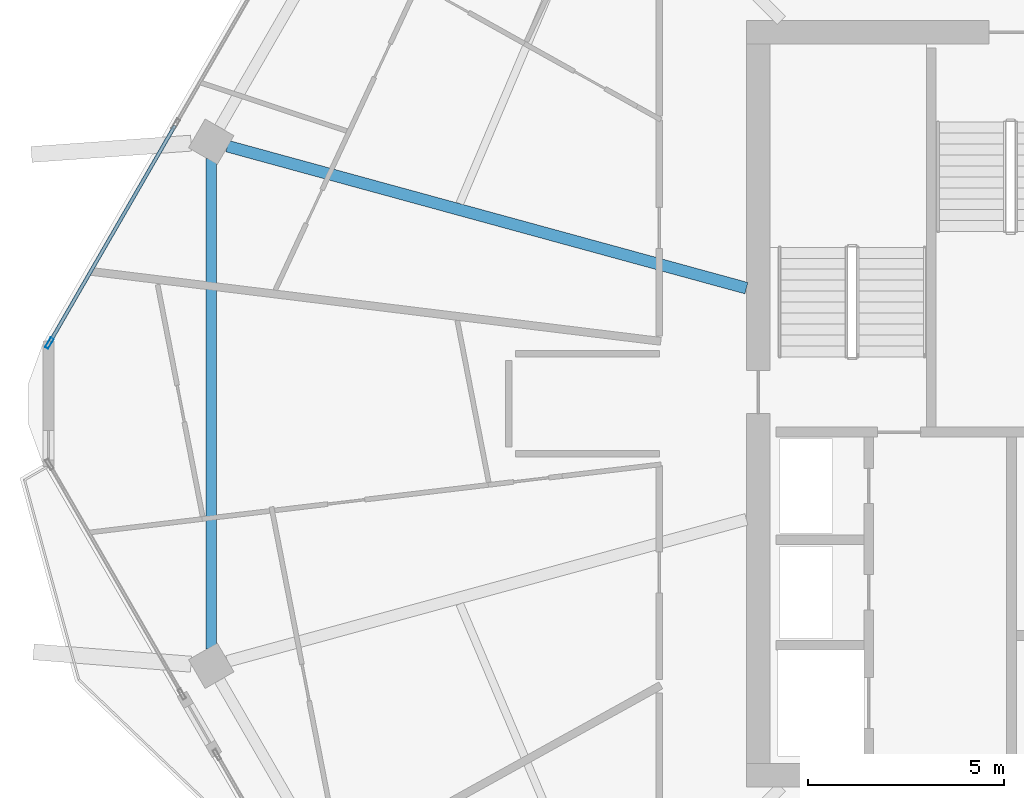
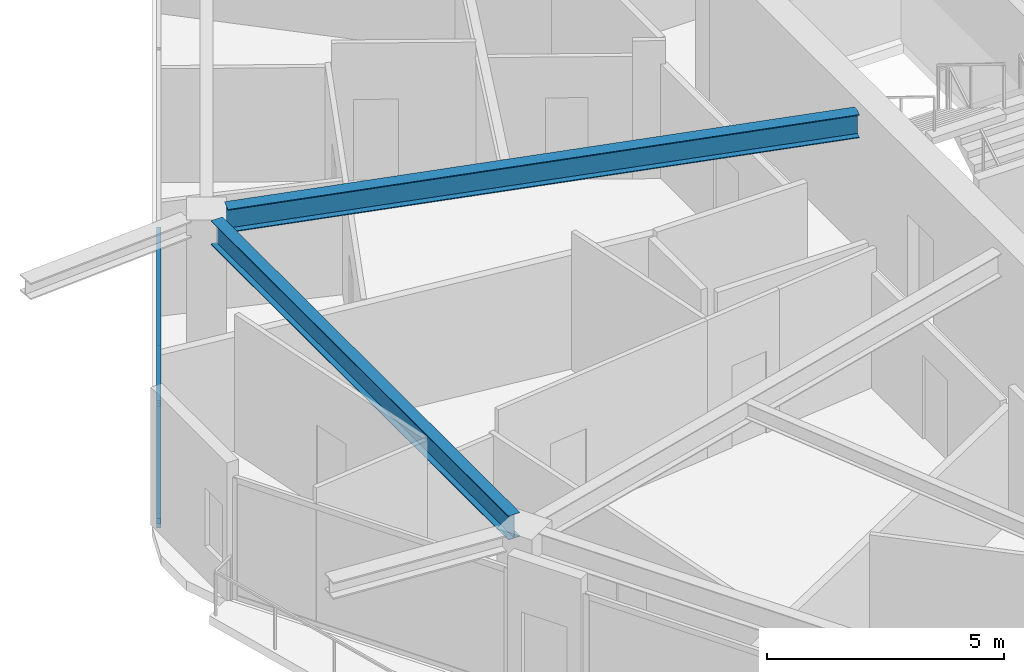
# One storey, part 6 of 26: 3 members, 2 beams, 1 element without a shape of its own.
"""IFC4 building model written with IfcOpenShell, lengths in metres."""

from ifc_helpers import new_model, si_unit, direction, frame, origin, origin_2d, place, context, subcontext, project, spatial, hollow_rectangle, i_section, extrude, material, material_profile, profile_set, type_object, element, aggregate, save


model = new_model("IFC4")

# Units and contexts
model_context = context("Model", 3, precision=1e-05, world=origin(), true_north=direction((0.0, 1.0)))
body_context = subcontext(model_context, "Body", "Model", "MODEL_VIEW")
ifc_project = project(units=[si_unit("LENGTHUNIT", "METRE"), si_unit("AREAUNIT", "SQUARE_METRE"), si_unit("VOLUMEUNIT", "CUBIC_METRE"), si_unit("PLANEANGLEUNIT", "RADIAN"), si_unit("MASSUNIT", "GRAM", prefix="KILO")], contexts=[model_context])

# Site, building, storey
site_placement = place(None, origin())
site = spatial("IfcSite", under=ifc_project, at=site_placement, CompositionType="ELEMENT")
building_placement = place(site_placement, origin())
building = spatial("IfcBuilding", under=site, at=building_placement, Name="Zuhravey Tower", CompositionType="ELEMENT")
storey_placement = place(building_placement, frame((0.0, 0.0, 273.0)))
storey = spatial("IfcBuildingStorey", under=building, at=storey_placement, Name="L69", CompositionType="ELEMENT", Elevation=273.0)

# Curtain wall, members
ifc_material_1 = material(Name="Thermally broken anodised aluminium", Category="aluminium")
curtain_wall_type = type_object("IfcCurtainWallType", Name="Zone 3-4 High-Rise Curtain Wall CW4", PredefinedType="NOTDEFINED", material=ifc_material_1)
curtain_wall_placement = place(storey_placement, origin())
curtain_wall = element("IfcCurtainWall", 1, at=curtain_wall_placement, inside=storey, type_object=curtain_wall_type, Name="L69 CW4 CW-L69-F3-1", PredefinedType="NOTDEFINED")
ifc_material_2 = material(Name="Anodised aluminium", Category="aluminium")
ifc_material_profile_1 = material_profile(ifc_material_2, hollow_rectangle(XDim=0.090087890625, YDim=0.284912109375, WallThickness=0.0048828125, at=origin_2d()), Name="ALU-RHS-90x285x5")
ifc_profile_set_1 = profile_set([ifc_material_profile_1], Name="Anodised aluminium")
member_type_1 = type_object("IfcMemberType", Name="Curtain-Wall Mullion 90x180", PredefinedType="MULLION", material=ifc_profile_set_1)
member_1_placement = place(storey_placement, frame((7.37744140625, 33.551513671875, 0.0), z_axis=(0.0, 0.0, 1.0), x_axis=(-0.866024851021, 0.500000957414, 0.0)))
member_1 = element("IfcMember", 2, at=member_1_placement, type_object=member_type_1, Name="CW4 mullion 1", PredefinedType="MULLION", context=body_context, shape_type="SweptSolid", body=[
    extrude(hollow_rectangle(XDim=0.090087890625, YDim=0.284912109375, WallThickness=0.0048828125, at=origin_2d()), origin(), (0.0, 0.0, 1.0), 3.1220703125),
])
ifc_material_profile_2 = material_profile(ifc_material_2, hollow_rectangle(XDim=0.090087890625, YDim=0.14990234375, WallThickness=0.0048828125, at=origin_2d()), Name="ALU-RHS-90x150x5")
ifc_profile_set_2 = profile_set([ifc_material_profile_2], Name="Anodised aluminium")
member_type_2 = type_object("IfcMemberType", Name="Curtain-Wall Transom 90x150", PredefinedType="USERDEFINED", material=ifc_profile_set_2)
member_2_placement = place(storey_placement, frame((7.39990234375, 33.59033203125, 0.044921875), z_axis=(0.500008810174, 0.866020317169, 0.0), x_axis=(-0.866020317169, 0.500008810174, 0.0)))
member_2 = element("IfcMember", 3, at=member_2_placement, type_object=member_type_2, Name="CW4 transom 1.1", ObjectType="TRANSOM", PredefinedType="USERDEFINED", context=body_context, shape_type="SweptSolid", body=[
    extrude(hollow_rectangle(XDim=0.090087890625, YDim=0.14990234375, WallThickness=0.0048828125, at=origin_2d()), origin(), (0.0, 0.0, 1.0), 6.37158203125),
])
member_3_placement = place(storey_placement, frame((7.39990234375, 33.59033203125, 3.076904296875), z_axis=(0.500008810174, 0.866020317169, 0.0), x_axis=(-0.866020317169, 0.500008810174, 0.0)))
member_3 = element("IfcMember", 4, at=member_3_placement, type_object=member_type_2, Name="CW4 transom 1.2", ObjectType="TRANSOM", PredefinedType="USERDEFINED", context=body_context, shape_type="SweptSolid", body=[
    extrude(hollow_rectangle(XDim=0.090087890625, YDim=0.14990234375, WallThickness=0.0048828125, at=origin_2d()), origin(), (0.0, 0.0, 1.0), 6.37158203125),
])
aggregate(curtain_wall, [member_1, member_2, member_3])

# Beams
ifc_material_3 = material(Name="Steel SM355", Category="steel")
ifc_material_profile_3 = material_profile(ifc_material_3, i_section(OverallWidth=0.280029296875, OverallDepth=0.6201171875, WebThickness=0.011962890625, FlangeThickness=0.02001953125, at=origin_2d()), Name="H-620x280x12x20")
ifc_profile_set_3 = profile_set([ifc_material_profile_3], Name="Steel SM355")
beam_type_1 = type_object("IfcBeamType", Name="Perimeter Ring Beam H620x280", PredefinedType="BEAM", material=ifc_profile_set_3)
beam_1_placement = place(storey_placement, frame((11.515380859375, 38.27099609375, 3.239990234375), z_axis=(0.0, -1.0, 0.0), x_axis=(1.0, 0.0, 0.0)))
element("IfcBeam", 5, at=beam_1_placement, inside=storey, type_object=beam_type_1, Name="L69 PB3 BM-L69-PB-06", PredefinedType="BEAM", context=body_context, shape_type="SweptSolid", body=[
    extrude(i_section(OverallWidth=0.280029296875, OverallDepth=0.6201171875, WebThickness=0.011962890625, FlangeThickness=0.02001953125, at=origin_2d()), origin(), (0.0, 0.0, 1.0), 12.5419921875),
])
ifc_material_profile_4 = material_profile(ifc_material_3, i_section(OverallWidth=0.300048828125, OverallDepth=0.60009765625, WebThickness=0.011962890625, FlangeThickness=0.02001953125, at=origin_2d()), Name="H-600x300x12x20")
ifc_profile_set_4 = profile_set([ifc_material_profile_4], Name="Steel SM355")
beam_type_2 = type_object("IfcBeamType", Name="Radial Primary Girder H600x300", PredefinedType="BEAM", material=ifc_profile_set_4)
beam_2_placement = place(storey_placement, frame((25.197021484375, 34.95556640625, 3.25), z_axis=(-0.964549305009, 0.263902705947, 0.0), x_axis=(-0.263902705947, -0.964549305009, 0.0)))
element("IfcBeam", 6, at=beam_2_placement, inside=storey, type_object=beam_type_2, Name="L69 RG3 BM-L69-RAD-06", PredefinedType="BEAM", context=body_context, shape_type="SweptSolid", body=[
    extrude(i_section(OverallWidth=0.300048828125, OverallDepth=0.60009765625, WebThickness=0.011962890625, FlangeThickness=0.02001953125, at=origin_2d()), origin(), (0.0, 0.0, 1.0), 13.756591796875),
])

save(model, "model.ifc")
